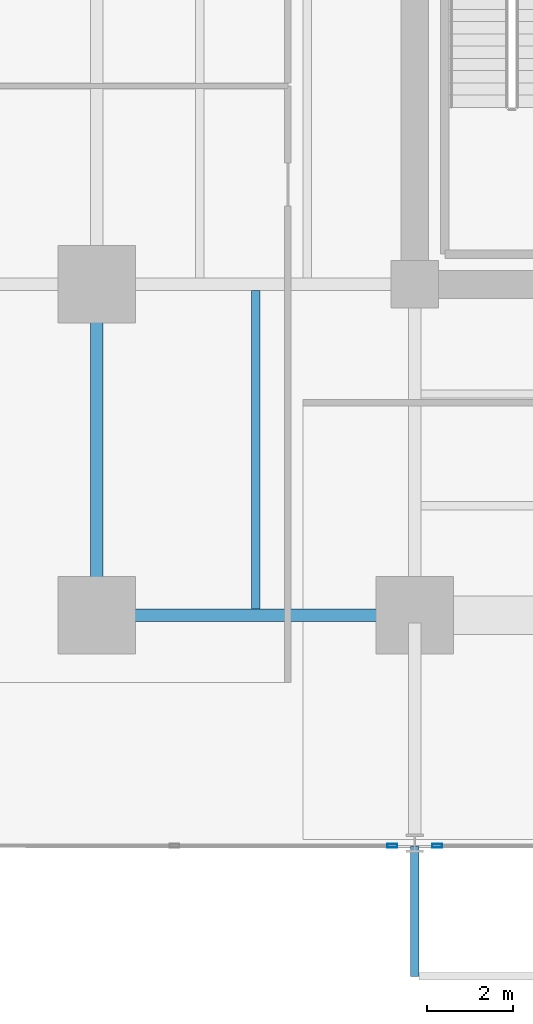
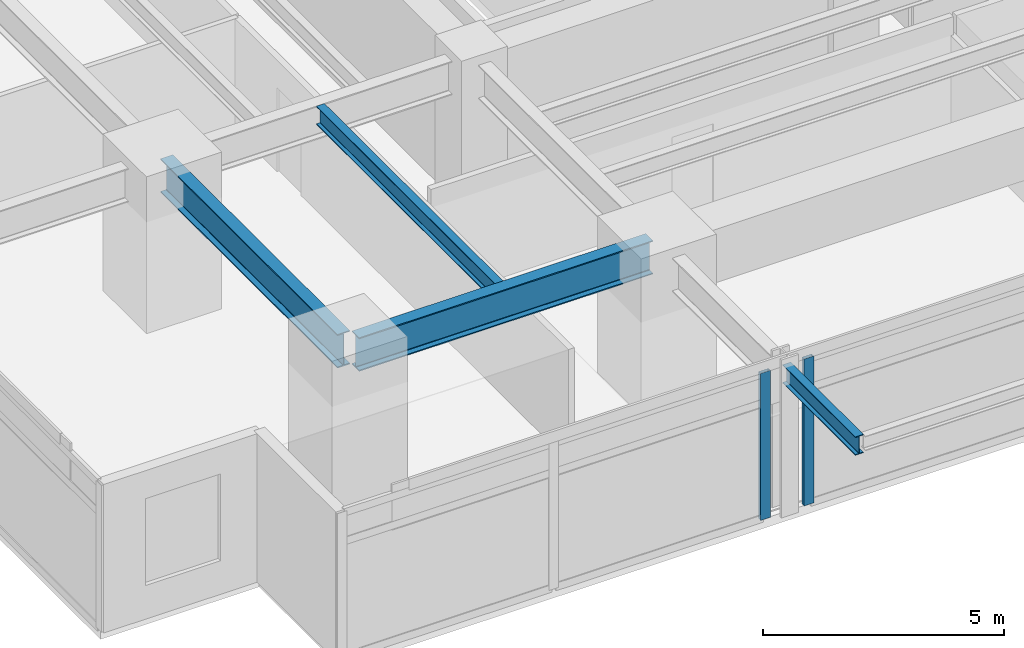
# One storey, part 3 of 21: 4 beams, 2 members, 2 elements without a shape of their own.
"""IFC4 building model written with IfcOpenShell, lengths in metres."""

from ifc_helpers import new_model, si_unit, direction, frame, origin, origin_2d, place, context, subcontext, project, spatial, hollow_rectangle, i_section, extrude, material, material_profile, profile_set, type_object, element, aggregate, save


model = new_model("IFC4")

# Units and contexts
model_context = context("Model", 3, precision=1e-05, world=origin(), true_north=direction((0.0, 1.0)))
body_context = subcontext(model_context, "Body", "Model", "MODEL_VIEW")
ifc_project = project(units=[si_unit("LENGTHUNIT", "METRE"), si_unit("AREAUNIT", "SQUARE_METRE"), si_unit("VOLUMEUNIT", "CUBIC_METRE"), si_unit("PLANEANGLEUNIT", "RADIAN"), si_unit("MASSUNIT", "GRAM", prefix="KILO")], contexts=[model_context])

# Site, building, storey
site_placement = place(None, origin())
site = spatial("IfcSite", under=ifc_project, at=site_placement, CompositionType="ELEMENT")
building_placement = place(site_placement, origin())
building = spatial("IfcBuilding", under=site, at=building_placement, Name="Kovane Verandah Tower", CompositionType="ELEMENT")
storey_placement = place(building_placement, frame((0.0, 0.0, 47.60009765625)))
storey = spatial("IfcBuildingStorey", under=building, at=storey_placement, Name="L10", CompositionType="ELEMENT", Elevation=47.60009765625)

# Beams
ifc_material_1 = material(Name="Steel S355", Category="steel")
ifc_material_profile_1 = material_profile(ifc_material_1, i_section(OverallWidth=0.293701171875, OverallDepth=0.850830078125, WebThickness=0.01611328125, FlangeThickness=0.02685546875, FilletRadius=0.017822265625, at=origin_2d()), Name="UB838x292x226")
ifc_profile_set_1 = profile_set([ifc_material_profile_1], Name="Steel S355")
beam_type_1 = type_object("IfcBeamType", Name="BM-UB838x226", PredefinedType="BEAM", material=ifc_profile_set_1)
beam_1_placement = place(storey_placement, frame((21.780029296875, 10.800048828125, 3.33447265625), z_axis=(1.0, 0.0, 0.0), x_axis=(0.0, 1.0, 0.0)))
element("IfcBeam", 1, at=beam_1_placement, inside=storey, type_object=beam_type_1, Name="L10 Primary Tower Girder G-RS1", PredefinedType="BEAM", context=body_context, shape_type="SweptSolid", body=[
    extrude(i_section(OverallWidth=0.293701171875, OverallDepth=0.850830078125, WebThickness=0.01611328125, FlangeThickness=0.02685546875, FilletRadius=0.017822265625, at=origin_2d()), origin(), (0.0, 0.0, 1.0), 7.0400390625),
])
beam_2_placement = place(storey_placement, frame((21.60009765625, 10.97998046875, 3.33447265625), z_axis=(0.0, 1.0, 0.0), x_axis=(-1.0, 0.0, 0.0)))
element("IfcBeam", 2, at=beam_2_placement, inside=storey, type_object=beam_type_1, Name="L10 Primary Tower Girder G-RW1", PredefinedType="BEAM", context=body_context, shape_type="SweptSolid", body=[
    extrude(i_section(OverallWidth=0.293701171875, OverallDepth=0.850830078125, WebThickness=0.01611328125, FlangeThickness=0.02685546875, FilletRadius=0.017822265625, at=origin_2d()), origin(), (0.0, 0.0, 1.0), 7.340087890625),
])

# Curtain wall, member
ifc_material_2 = material(Name="Champagne Anodised Aluminium Frame with Low-E Clear Laminated Glass", Category="aluminium")
curtain_wall_type = type_object("IfcCurtainWallType", Name="CW-SYS-02-LOW", PredefinedType="NOTDEFINED", material=ifc_material_2)
curtain_wall_1_placement = place(storey_placement, origin())
curtain_wall_1 = element("IfcCurtainWall", 3, at=curtain_wall_1_placement, inside=storey, type_object=curtain_wall_type, Name="L10 S Unitised Curtain Wall-1", PredefinedType="NOTDEFINED")
ifc_material_3 = material(Name="Champagne Anodised Aluminium 6063-T6", Category="aluminium")
ifc_material_profile_2 = material_profile(ifc_material_3, hollow_rectangle(XDim=0.0849609375, YDim=0.22998046875, WallThickness=0.00390625, at=origin_2d()), Name="AL85x230x4")
ifc_profile_set_2 = profile_set([ifc_material_profile_2], Name="Champagne Anodised Aluminium 6063-T6")
member_type = type_object("IfcMemberType", Name="CW-MUL-85x230", PredefinedType="MULLION", material=ifc_profile_set_2)
member_1_placement = place(storey_placement, frame((28.47998046875, 5.438720703125, 0.02001953125), z_axis=(0.0, 0.0, 1.0), x_axis=(0.0, -1.0, 0.0)))
member_1 = element("IfcMember", 4, at=member_1_placement, type_object=member_type, Name="L10 S Unitised Curtain Wall-1 Mullion 3", PredefinedType="MULLION", context=body_context, shape_type="SweptSolid", body=[
    extrude(hollow_rectangle(XDim=0.0849609375, YDim=0.22998046875, WallThickness=0.00390625, at=origin_2d()), origin(), (0.0, 0.0, 1.0), 3.719970703125),
])
aggregate(curtain_wall_1, [member_1])

curtain_wall_2_placement = place(storey_placement, origin())
curtain_wall_2 = element("IfcCurtainWall", 5, at=curtain_wall_2_placement, inside=storey, type_object=curtain_wall_type, Name="L10 S Unitised Curtain Wall-2", PredefinedType="NOTDEFINED")
member_2_placement = place(storey_placement, frame((29.52001953125, 5.438720703125, 0.02001953125), z_axis=(0.0, 0.0, 1.0), x_axis=(0.0, -1.0, 0.0)))
member_2 = element("IfcMember", 6, at=member_2_placement, type_object=member_type, Name="L10 S Unitised Curtain Wall-2 Mullion 1", PredefinedType="MULLION", context=body_context, shape_type="SweptSolid", body=[
    extrude(hollow_rectangle(XDim=0.0849609375, YDim=0.22998046875, WallThickness=0.00390625, at=origin_2d()), origin(), (0.0, 0.0, 1.0), 3.719970703125),
])
aggregate(curtain_wall_2, [member_2])

# Beams
ifc_material_profile_3 = material_profile(ifc_material_1, i_section(OverallWidth=0.19287109375, OverallDepth=0.46728515625, WebThickness=0.011474609375, FlangeThickness=0.01953125, FilletRadius=0.01025390625, at=origin_2d()), Name="UB457x191x98")
ifc_profile_set_3 = profile_set([ifc_material_profile_3], Name="Steel S355")
beam_type_2 = type_object("IfcBeamType", Name="JST-UB457x98", PredefinedType="JOIST", material=ifc_profile_set_3)
beam_3_placement = place(storey_placement, frame((25.300048828125, 10.94482421875, 3.5263671875), z_axis=(0.0, 1.0, 0.0), x_axis=(-1.0, 0.0, 0.0)))
element("IfcBeam", 7, at=beam_3_placement, inside=storey, type_object=beam_type_2, Name="L10 Secondary Composite Joist J-SW1", PredefinedType="JOIST", context=body_context, shape_type="SweptSolid", body=[
    extrude(i_section(OverallWidth=0.19287109375, OverallDepth=0.46728515625, WebThickness=0.011474609375, FlangeThickness=0.01953125, FilletRadius=0.01025390625, at=origin_2d()), origin(), (0.0, 0.0, 1.0), 7.41015625),
])
beam_4_placement = place(storey_placement, frame((29.0, 5.419921875, 3.5263671875), z_axis=(0.0, -1.0, 0.0), x_axis=(1.0, 0.0, 0.0)))
element("IfcBeam", 8, at=beam_4_placement, inside=storey, type_object=beam_type_2, Name="L10 South Planter Girder 1", PredefinedType="JOIST", context=body_context, shape_type="SweptSolid", body=[
    extrude(i_section(OverallWidth=0.19287109375, OverallDepth=0.46728515625, WebThickness=0.011474609375, FlangeThickness=0.01953125, FilletRadius=0.01025390625, at=origin_2d()), origin(), (0.0, 0.0, 1.0), 3.01611328125),
])

save(model, "model.ifc")
